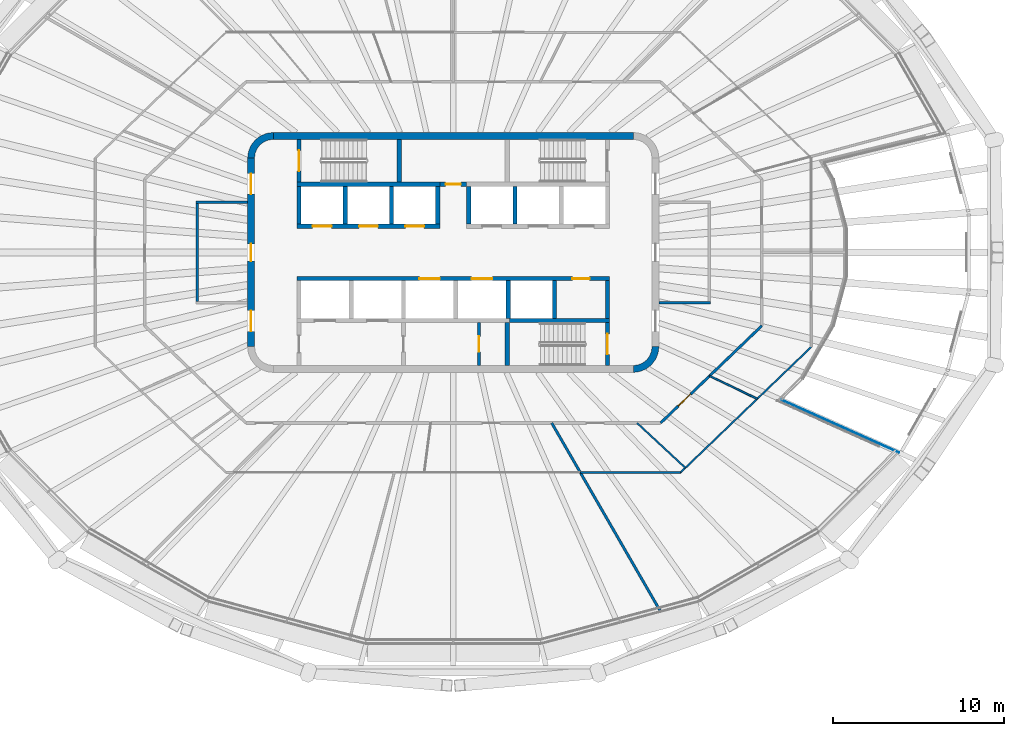
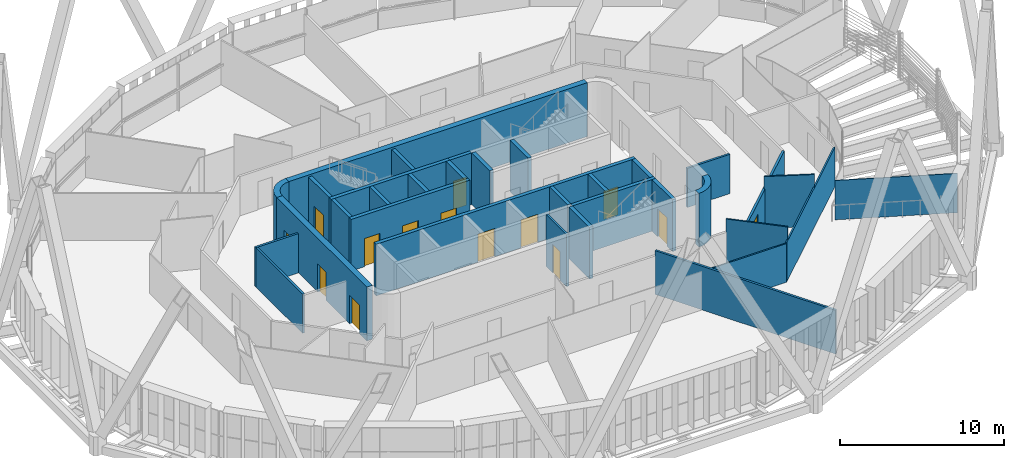
# One storey, part 11 of 20: 33 walls, 14 doors, 14 openings.
"""IFC4 building model written with IfcOpenShell, lengths in metres."""

from ifc_helpers import new_model, si_unit, direction, frame, frame_2d, origin, place, context, subcontext, project, spatial, polyline, rectangle, outline, extrude, material, layer, layer_set, type_object, element, fill, save


model = new_model("IFC4")

# Units and contexts
model_context = context("Model", 3, precision=1e-05, world=origin(), true_north=direction((0.0, 1.0)))
body_context = subcontext(model_context, "Body", "Model", "MODEL_VIEW")
ifc_project = project(units=[si_unit("LENGTHUNIT", "METRE"), si_unit("AREAUNIT", "SQUARE_METRE"), si_unit("VOLUMEUNIT", "CUBIC_METRE"), si_unit("PLANEANGLEUNIT", "RADIAN"), si_unit("MASSUNIT", "GRAM", prefix="KILO")], contexts=[model_context])

# Site, building, storey
site_placement = place(None, origin())
site = spatial("IfcSite", under=ifc_project, at=site_placement, CompositionType="ELEMENT")
building_placement = place(site_placement, origin())
building = spatial("IfcBuilding", under=site, at=building_placement, Name="Sahrelin Media Tower", CompositionType="ELEMENT")
storey_placement = place(building_placement, frame((0.0, 0.0, 267.0)))
storey = spatial("IfcBuildingStorey", under=building, at=storey_placement, Name="L58", CompositionType="ELEMENT", Elevation=267.0)

# Wall
ifc_material_1 = material(Name="Concrete C60/75", Category="concrete")
ifc_layer_1 = layer(ifc_material_1, 0.39990234375)
ifc_layer_set_1 = layer_set([ifc_layer_1], Name="Core wall 400")
wall_type_1 = type_object("IfcWallType", Name="Core wall 400", PredefinedType="SHEAR", material=ifc_layer_set_1)
wall_1_placement = place(storey_placement, frame((-10.5, 6.800048828125, 0.0), z_axis=(0.0, 0.0, 1.0), x_axis=(1.0, 0.0, 0.0)))
element("IfcWall", 1, at=wall_1_placement, inside=storey, type_object=wall_type_1, Name="Core wall N L58", PredefinedType="SHEAR", context=body_context, shape_type="SweptSolid", body=[
    extrude(rectangle(XDim=21.0, YDim=0.39990234375, at=frame_2d((10.5, 0.0))), origin(), (0.0, 0.0, 1.0), 4.0),
])

# Wall, openings, doors
wall_2_placement = place(storey_placement, frame((-11.800048828125, -5.5, 0.0), z_axis=(0.0, 0.0, 1.0), x_axis=(0.0, 1.0, 0.0)))
wall_2 = element("IfcWall", 2, at=wall_2_placement, inside=storey, type_object=wall_type_1, Name="Core wall W L58", PredefinedType="SHEAR", context=body_context, shape_type="SweptSolid", body=[
    extrude(rectangle(XDim=11.0, YDim=0.39990234375, at=frame_2d((5.5, 0.0))), origin(), (0.0, 0.0, 1.0), 4.0),
])
opening_1_placement = place(wall_2_placement, frame((5.0, 0.0, 0.0)))
opening_1 = element("IfcOpeningElement", 3, at=opening_1_placement, cuts=wall_2, Name="Opening L58-D09", PredefinedType="OPENING", context=body_context, shape_type="SweptSolid", body=[
    extrude(rectangle(XDim=1.0, YDim=2.10009765625, at=frame_2d((0.5, 1.050048828125))), frame((0.0, 0.199951171875, 0.0), z_axis=(0.0, -1.0, 0.0), x_axis=(1.0, 0.0, 0.0)), (0.0, 0.0, 1.0), 0.39990234375),
])
opening_2_placement = place(wall_2_placement, frame((0.89990234375, 0.0, 0.0)))
opening_2 = element("IfcOpeningElement", 4, at=opening_2_placement, cuts=wall_2, Name="Opening L58-D11", PredefinedType="OPENING", context=body_context, shape_type="SweptSolid", body=[
    extrude(rectangle(XDim=1.199951171875, YDim=2.10009765625, at=frame_2d((0.60009765625, 1.050048828125))), frame((0.0, 0.199951171875, 0.0), z_axis=(0.0, -1.0, 0.0), x_axis=(1.0, 0.0, 0.0)), (0.0, 0.0, 1.0), 0.39990234375),
])
opening_3_placement = place(wall_2_placement, frame((8.89990234375, 0.0, 0.0)))
opening_3 = element("IfcOpeningElement", 5, at=opening_3_placement, cuts=wall_2, Name="Opening L58-D12", PredefinedType="OPENING", context=body_context, shape_type="SweptSolid", body=[
    extrude(rectangle(XDim=1.199951171875, YDim=2.10009765625, at=frame_2d((0.60009765625, 1.050048828125))), frame((0.0, 0.199951171875, 0.0), z_axis=(0.0, -1.0, 0.0), x_axis=(1.0, 0.0, 0.0)), (0.0, 0.0, 1.0), 0.39990234375),
])
ifc_material_2 = material(Name="Steel fire door leaf", Category="steel")
door_type_1 = type_object("IfcDoorType", Name="Fire door 1000 x 2100 EI 60", OperationType="NOTDEFINED", PredefinedType="DOOR", material=ifc_material_2)
door_1_placement = place(opening_1_placement, origin())
door_1 = element("IfcDoor", 6, at=door_1_placement, inside=storey, type_object=door_type_1, Name="Core room door", OperationType="SINGLE_SWING_RIGHT", OverallHeight=2.10009765625, OverallWidth=1.0, PredefinedType="DOOR", context=body_context, shape_type="SweptSolid", body=[
    extrude(rectangle(XDim=1.0, YDim=2.10009765625, at=frame_2d((0.5, 1.050048828125))), frame((0.0, 0.02490234375, 0.0), z_axis=(0.0, -1.0, 0.0), x_axis=(1.0, 0.0, 0.0)), (0.0, 0.0, 1.0), 0.050048828125),
])
fill(opening_1, door_1)
door_type_2 = type_object("IfcDoorType", Name="Lobby door 1200 x 2100 EI 60", OperationType="NOTDEFINED", PredefinedType="DOOR", material=ifc_material_2)
door_2_placement = place(opening_2_placement, origin())
door_2 = element("IfcDoor", 7, at=door_2_placement, inside=storey, type_object=door_type_2, Name="Lobby door", OperationType="SINGLE_SWING_LEFT", OverallHeight=2.10009765625, OverallWidth=1.199951171875, PredefinedType="DOOR", context=body_context, shape_type="SweptSolid", body=[
    extrude(rectangle(XDim=1.199951171875, YDim=2.10009765625, at=frame_2d((0.60009765625, 1.050048828125))), frame((0.0, 0.02490234375, 0.0), z_axis=(0.0, -1.0, 0.0), x_axis=(1.0, 0.0, 0.0)), (0.0, 0.0, 1.0), 0.050048828125),
])
fill(opening_2, door_2)
door_3_placement = place(opening_3_placement, origin())
door_3 = element("IfcDoor", 8, at=door_3_placement, inside=storey, type_object=door_type_2, Name="Lobby door", OperationType="SINGLE_SWING_LEFT", OverallHeight=2.10009765625, OverallWidth=1.199951171875, PredefinedType="DOOR", context=body_context, shape_type="SweptSolid", body=[
    extrude(rectangle(XDim=1.199951171875, YDim=2.10009765625, at=frame_2d((0.60009765625, 1.050048828125))), frame((0.0, 0.02490234375, 0.0), z_axis=(0.0, -1.0, 0.0), x_axis=(1.0, 0.0, 0.0)), (0.0, 0.0, 1.0), 0.050048828125),
])
fill(opening_3, door_3)

# Walls
placement = place(storey_placement, origin())
element("IfcWall", 9, at=placement, inside=storey, type_object=wall_type_1, Name="Core wall corner NW L58", PredefinedType="SHEAR", context=body_context, shape_type="SweptSolid", body=[
    extrude(outline(polyline([(-12.0, 5.5), (-11.596435546875, 5.5), (-11.55908203125, 5.78369140625), (-11.44970703125, 6.04833984375), (-11.275390625, 6.275390625), (-11.04833984375, 6.44970703125), (-10.78369140625, 6.55908203125), (-10.5, 6.596435546875), (-10.5, 7.0), (-10.88818359375, 6.948974609375), (-11.25, 6.799072265625), (-11.560791015625, 6.560791015625), (-11.799072265625, 6.25), (-11.948974609375, 5.88818359375), (-12.0, 5.5)])), origin(), (0.0, 0.0, 1.0), 4.0),
])
element("IfcWall", 10, at=placement, inside=storey, type_object=wall_type_1, Name="Core wall corner SE L58", PredefinedType="SHEAR", context=body_context, shape_type="SweptSolid", body=[
    extrude(outline(polyline([(12.0, -5.5), (11.596435546875, -5.5), (11.55908203125, -5.78369140625), (11.44970703125, -6.04833984375), (11.275390625, -6.275390625), (11.04833984375, -6.44970703125), (10.78369140625, -6.55908203125), (10.5, -6.596435546875), (10.5, -7.0), (10.88818359375, -6.948974609375), (11.25, -6.799072265625), (11.560791015625, -6.560791015625), (11.799072265625, -6.25), (11.948974609375, -5.88818359375), (12.0, -5.5)])), origin(), (0.0, 0.0, 1.0), 4.0),
])

# Wall, opening, door
ifc_material_3 = material(Name="Fire-rated gypsum board partition")
ifc_layer_2 = layer(ifc_material_3, 0.25)
ifc_layer_set_2 = layer_set([ifc_layer_2], Name="Fire-rated lobby wall 250")
wall_type_2 = type_object("IfcWallType", Name="Fire-rated lobby wall 250", PredefinedType="PARTITIONING", material=ifc_layer_set_2)
wall_5_placement = place(storey_placement, frame((-0.77490234375, 3.97509765625, 0.0), z_axis=(0.0, 0.0, 1.0), x_axis=(1.0, 0.0, 0.0)))
wall_5 = element("IfcWall", 11, at=wall_5_placement, inside=storey, type_object=wall_type_2, Name="Core lobby wall", PredefinedType="PARTITIONING", context=body_context, shape_type="SweptSolid", body=[
    extrude(rectangle(XDim=1.5498046875, YDim=0.25, at=frame_2d((0.77490234375, 0.0))), origin(), (0.0, 0.0, 1.0), 3.85009765625),
])
opening_4_placement = place(wall_5_placement, frame((0.324951171875, 0.0, 0.0)))
opening_4 = element("IfcOpeningElement", 12, at=opening_4_placement, cuts=wall_5, Name="Opening L58-D06", PredefinedType="OPENING", context=body_context, shape_type="SweptSolid", body=[
    extrude(rectangle(XDim=0.89990234375, YDim=2.10009765625, at=frame_2d((0.449951171875, 1.050048828125))), frame((0.0, 0.125, 0.0), z_axis=(0.0, -1.0, 0.0), x_axis=(1.0, 0.0, 0.0)), (0.0, 0.0, 1.0), 0.25),
])
door_type_3 = type_object("IfcDoorType", Name="Riser door 900 x 2100 EI 120", OperationType="NOTDEFINED", PredefinedType="DOOR", material=ifc_material_2)
door_4_placement = place(opening_4_placement, origin())
door_4 = element("IfcDoor", 13, at=door_4_placement, inside=storey, type_object=door_type_3, Name="Core room door", OperationType="SINGLE_SWING_LEFT", OverallHeight=2.10009765625, OverallWidth=0.89990234375, PredefinedType="DOOR", context=body_context, shape_type="SweptSolid", body=[
    extrude(rectangle(XDim=0.89990234375, YDim=2.10009765625, at=frame_2d((0.449951171875, 1.050048828125))), frame((0.0, 0.02490234375, 0.0), z_axis=(0.0, -1.0, 0.0), x_axis=(1.0, 0.0, 0.0)), (0.0, 0.0, 1.0), 0.050048828125),
])
fill(opening_4, door_4)

ifc_layer_3 = layer(ifc_material_3, 0.14990234375)
ifc_layer_set_3 = layer_set([ifc_layer_3], Name="Fire-rated partition 150")
wall_type_3 = type_object("IfcWallType", Name="Fire-rated partition 150", PredefinedType="PARTITIONING", material=ifc_layer_set_3)
wall_6_placement = place(storey_placement, frame((1.5, -6.60009765625, 0.0), z_axis=(0.0, 0.0, 1.0), x_axis=(0.0, 1.0, 0.0)))
wall_6 = element("IfcWall", 14, at=wall_6_placement, inside=storey, type_object=wall_type_3, Name="Core room fire partition", PredefinedType="PARTITIONING", context=body_context, shape_type="SweptSolid", body=[
    extrude(rectangle(XDim=2.5, YDim=0.14990234375, at=frame_2d((1.25, 0.0))), origin(), (0.0, 0.0, 1.0), 3.85009765625),
])
opening_5_placement = place(wall_6_placement, frame((0.800048828125, 0.0, 0.0)))
opening_5 = element("IfcOpeningElement", 15, at=opening_5_placement, cuts=wall_6, Name="Opening L58-D07", PredefinedType="OPENING", context=body_context, shape_type="SweptSolid", body=[
    extrude(rectangle(XDim=0.89990234375, YDim=2.10009765625, at=frame_2d((0.449951171875, 1.050048828125))), frame((0.0, 0.074951171875, 0.0), z_axis=(0.0, -1.0, 0.0), x_axis=(1.0, 0.0, 0.0)), (0.0, 0.0, 1.0), 0.14990234375),
])
door_type_4 = type_object("IfcDoorType", Name="Fire door 900 x 2100 EI 60", OperationType="NOTDEFINED", PredefinedType="DOOR", material=ifc_material_2)
door_5_placement = place(opening_5_placement, origin())
door_5 = element("IfcDoor", 16, at=door_5_placement, inside=storey, type_object=door_type_4, Name="Core room door", OperationType="SINGLE_SWING_RIGHT", OverallHeight=2.10009765625, OverallWidth=0.89990234375, PredefinedType="DOOR", context=body_context, shape_type="SweptSolid", body=[
    extrude(rectangle(XDim=0.89990234375, YDim=2.10009765625, at=frame_2d((0.449951171875, 1.050048828125))), frame((0.0, 0.02490234375, 0.0), z_axis=(0.0, -1.0, 0.0), x_axis=(1.0, 0.0, 0.0)), (0.0, 0.0, 1.0), 0.050048828125),
])
fill(opening_5, door_5)

# Walls
wall_7_placement = place(storey_placement, frame((-14.925048828125, -2.85009765625, 0.0), z_axis=(0.0, 0.0, 1.0), x_axis=(0.0, 1.0, 0.0)))
element("IfcWall", 17, at=wall_7_placement, inside=storey, type_object=wall_type_3, Name="Core room fire partition", PredefinedType="PARTITIONING", context=body_context, shape_type="SweptSolid", body=[
    extrude(rectangle(XDim=5.7001953125, YDim=0.14990234375, at=frame_2d((2.85009765625, 0.0))), origin(), (0.0, 0.0, 1.0), 2.918212890625),
])
for number, where, z_axis, x_axis, name in (
    (18, (-15.0, 2.925048828125, 0.0), (0.0, 0.0, 1.0), (1.0, 0.0, 0.0), "Core room fire partition"),
    (19, (12.0, -2.925048828125, 0.0), (0.0, 0.0, 1.0), (1.0, 0.0, 0.0), "Core room fire partition"),
):
    element("IfcWall", number, at=place(storey_placement, frame(where, z_axis=z_axis, x_axis=x_axis)), inside=storey, type_object=wall_type_3, Name=name, PredefinedType="PARTITIONING", context=body_context, shape_type="SweptSolid", body=[
        extrude(rectangle(XDim=3.0, YDim=0.14990234375, at=frame_2d((1.5, 0.0))), origin(), (0.0, 0.0, 1.0), 2.918212890625),
    ])
wall_8_placement = place(storey_placement, frame((5.743896484375, -9.948974609375, 0.0), z_axis=(0.0, 0.0, 1.0), x_axis=(0.499937454569, -0.866061511395, 0.0)))
element("IfcWall", 20, at=wall_8_placement, inside=storey, type_object=wall_type_3, Name="Wall", PredefinedType="PARTITIONING", context=body_context, shape_type="SweptSolid", body=[
    extrude(rectangle(XDim=12.713134765625, YDim=0.14990234375, at=frame_2d((6.3564453125, 0.0))), origin(), (0.0, 0.0, 1.0), 3.251708984375),
])

# Wall, opening, door
wall_9_placement = place(storey_placement, frame((12.094970703125, -9.948974609375, 0.0), z_axis=(0.0, 0.0, 1.0), x_axis=(0.721260976692, 0.69266341285, 0.0)))
wall_9 = element("IfcWall", 21, at=wall_9_placement, inside=storey, type_object=wall_type_3, Name="Wall", PredefinedType="PARTITIONING", context=body_context, shape_type="SweptSolid", body=[
    extrude(rectangle(XDim=8.18701171875, YDim=0.14990234375, at=frame_2d((4.093505859375, 0.0))), origin(), (0.0, 0.0, 1.0), 2.918212890625),
])
opening_6_placement = place(wall_9_placement, frame((1.4296875, 0.0, 0.0)))
opening_6 = element("IfcOpeningElement", 22, at=opening_6_placement, cuts=wall_9, Name="Opening L58-D31", PredefinedType="OPENING", context=body_context, shape_type="SweptSolid", body=[
    extrude(rectangle(XDim=1.0, YDim=2.10009765625, at=frame_2d((0.5, 1.050048828125))), frame((0.0, 0.074951171875, 0.0), z_axis=(0.0, -1.0, 0.0), x_axis=(1.0, 0.0, 0.0)), (0.0, 0.0, 1.0), 0.14990234375),
])
door_6_placement = place(opening_6_placement, origin())
door_6 = element("IfcDoor", 23, at=door_6_placement, inside=storey, type_object=door_type_1, Name="Fire door", OperationType="SINGLE_SWING_RIGHT", OverallHeight=2.10009765625, OverallWidth=1.0, PredefinedType="DOOR", context=body_context, shape_type="SweptSolid", body=[
    extrude(rectangle(XDim=1.0, YDim=2.10009765625, at=frame_2d((0.5, 1.050048828125))), frame((0.0, 0.02490234375, 0.0), z_axis=(0.0, -1.0, 0.0), x_axis=(1.0, 0.0, 0.0)), (0.0, 0.0, 1.0), 0.050048828125),
])
fill(opening_6, door_6)

# Wall
ifc_material_4 = material(Name="Clear glass", Category="glass")
ifc_layer_4 = layer(ifc_material_4, 0.050048828125)
ifc_layer_set_4 = layer_set([ifc_layer_4], Name="Glazed partition 50")
wall_type_4 = type_object("IfcWallType", Name="Glazed partition 50", PredefinedType="PARTITIONING", material=ifc_layer_set_4)
wall_10_placement = place(storey_placement, frame((19.1640625, -8.60791015625, 0.0), z_axis=(0.0, 0.0, 1.0), x_axis=(0.912165340302, -0.409822390741, 0.0)))
element("IfcWall", 24, at=wall_10_placement, inside=storey, type_object=wall_type_4, Name="Wall", PredefinedType="PARTITIONING", context=body_context, shape_type="SweptSolid", body=[
    extrude(rectangle(XDim=7.48876953125, YDim=0.050048828125, at=frame_2d((3.744384765625, 0.0))), origin(), (0.0, 0.0, 1.0), 2.927001953125),
])

# Wall, openings, doors
ifc_layer_5 = layer(ifc_material_1, 0.25)
ifc_layer_set_5 = layer_set([ifc_layer_5], Name="Lift shaft wall 250")
wall_type_5 = type_object("IfcWallType", Name="Lift shaft wall 250", PredefinedType="SOLIDWALL", material=ifc_layer_set_5)
wall_11_placement = place(storey_placement, frame((-9.125, 1.52490234375, 0.0), z_axis=(0.0, 0.0, 1.0), x_axis=(1.0, 0.0, 0.0)))
wall_11 = element("IfcWall", 25, at=wall_11_placement, inside=storey, type_object=wall_type_5, Name="Lift shaft wall", PredefinedType="SOLIDWALL", context=body_context, shape_type="SweptSolid", body=[
    extrude(rectangle(XDim=8.35009765625, YDim=0.25, at=frame_2d((4.175048828125, 0.0))), origin(), (0.0, 0.0, 1.0), 3.85009765625),
])
opening_7_placement = place(wall_11_placement, frame((0.925048828125, 0.0, 0.0)))
opening_7 = element("IfcOpeningElement", 26, at=opening_7_placement, cuts=wall_11, Name="Opening L58-LD-HR1", PredefinedType="OPENING", context=body_context, shape_type="SweptSolid", body=[
    extrude(rectangle(XDim=1.10009765625, YDim=2.10009765625, at=frame_2d((0.550048828125, 1.050048828125))), frame((0.0, 0.125, 0.0), z_axis=(0.0, -1.0, 0.0), x_axis=(1.0, 0.0, 0.0)), (0.0, 0.0, 1.0), 0.25),
])
opening_8_placement = place(wall_11_placement, frame((3.625, 0.0, 0.0)))
opening_8 = element("IfcOpeningElement", 27, at=opening_8_placement, cuts=wall_11, Name="Opening L58-LD-HR2", PredefinedType="OPENING", context=body_context, shape_type="SweptSolid", body=[
    extrude(rectangle(XDim=1.10009765625, YDim=2.10009765625, at=frame_2d((0.550048828125, 1.050048828125))), frame((0.0, 0.125, 0.0), z_axis=(0.0, -1.0, 0.0), x_axis=(1.0, 0.0, 0.0)), (0.0, 0.0, 1.0), 0.25),
])
opening_9_placement = place(wall_11_placement, frame((6.324951171875, 0.0, 0.0)))
opening_9 = element("IfcOpeningElement", 28, at=opening_9_placement, cuts=wall_11, Name="Opening L58-LD-HR3", PredefinedType="OPENING", context=body_context, shape_type="SweptSolid", body=[
    extrude(rectangle(XDim=1.10009765625, YDim=2.10009765625, at=frame_2d((0.550048828125, 1.050048828125))), frame((0.0, 0.125, 0.0), z_axis=(0.0, -1.0, 0.0), x_axis=(1.0, 0.0, 0.0)), (0.0, 0.0, 1.0), 0.25),
])
ifc_material_5 = material(Name="Stainless steel", Category="steel")
door_type_5 = type_object("IfcDoorType", Name="Lift landing door 1100 x 2100 EI 120", OperationType="DOUBLE_DOOR_SLIDING", PredefinedType="DOOR", material=ifc_material_5)
door_7_placement = place(opening_7_placement, origin())
door_7 = element("IfcDoor", 29, at=door_7_placement, inside=storey, type_object=door_type_5, Name="Lift landing door HR1", OperationType="DOUBLE_DOOR_SLIDING", OverallHeight=2.10009765625, OverallWidth=1.10009765625, PredefinedType="DOOR", context=body_context, shape_type="SweptSolid", body=[
    extrude(rectangle(XDim=1.10009765625, YDim=2.10009765625, at=frame_2d((0.550048828125, 1.050048828125))), frame((0.0, 0.02490234375, 0.0), z_axis=(0.0, -1.0, 0.0), x_axis=(1.0, 0.0, 0.0)), (0.0, 0.0, 1.0), 0.050048828125),
])
fill(opening_7, door_7)
door_8_placement = place(opening_8_placement, origin())
door_8 = element("IfcDoor", 30, at=door_8_placement, inside=storey, type_object=door_type_5, Name="Lift landing door HR2", OperationType="DOUBLE_DOOR_SLIDING", OverallHeight=2.10009765625, OverallWidth=1.10009765625, PredefinedType="DOOR", context=body_context, shape_type="SweptSolid", body=[
    extrude(rectangle(XDim=1.10009765625, YDim=2.10009765625, at=frame_2d((0.550048828125, 1.050048828125))), frame((0.0, 0.02490234375, 0.0), z_axis=(0.0, -1.0, 0.0), x_axis=(1.0, 0.0, 0.0)), (0.0, 0.0, 1.0), 0.050048828125),
])
fill(opening_8, door_8)
door_9_placement = place(opening_9_placement, origin())
door_9 = element("IfcDoor", 31, at=door_9_placement, inside=storey, type_object=door_type_5, Name="Lift landing door HR3", OperationType="DOUBLE_DOOR_SLIDING", OverallHeight=2.10009765625, OverallWidth=1.10009765625, PredefinedType="DOOR", context=body_context, shape_type="SweptSolid", body=[
    extrude(rectangle(XDim=1.10009765625, YDim=2.10009765625, at=frame_2d((0.550048828125, 1.050048828125))), frame((0.0, 0.02490234375, 0.0), z_axis=(0.0, -1.0, 0.0), x_axis=(1.0, 0.0, 0.0)), (0.0, 0.0, 1.0), 0.050048828125),
])
fill(opening_9, door_9)

# Walls
wall_12_placement = place(storey_placement, frame((-9.125, 3.97509765625, 0.0), z_axis=(0.0, 0.0, 1.0), x_axis=(1.0, 0.0, 0.0)))
element("IfcWall", 32, at=wall_12_placement, inside=storey, type_object=wall_type_5, Name="Lift shaft wall", PredefinedType="SOLIDWALL", context=body_context, shape_type="SweptSolid", body=[
    extrude(rectangle(XDim=8.35009765625, YDim=0.25, at=frame_2d((4.175048828125, 0.0))), origin(), (0.0, 0.0, 1.0), 3.85009765625),
])
for number, where, z_axis, x_axis, name in (
    (33, (-9.0, 1.64990234375, 0.0), (0.0, 0.0, 1.0), (0.0, 1.0, 0.0), "Lift shaft wall"),
    (34, (-6.300048828125, 1.64990234375, 0.0), (0.0, 0.0, 1.0), (0.0, 1.0, 0.0), "Lift shaft wall"),
    (35, (-3.60009765625, 1.64990234375, 0.0), (0.0, 0.0, 1.0), (0.0, 1.0, 0.0), "Lift shaft wall"),
    (36, (3.60009765625, 1.64990234375, 0.0), (0.0, 0.0, 1.0), (0.0, 1.0, 0.0), "Lift shaft wall"),
    (37, (-0.89990234375, 1.64990234375, 0.0), (0.0, 0.0, 1.0), (0.0, 1.0, 0.0), "Lift shaft wall"),
    (38, (0.89990234375, 1.64990234375, 0.0), (0.0, 0.0, 1.0), (0.0, 1.0, 0.0), "Lift shaft wall"),
):
    element("IfcWall", number, at=place(storey_placement, frame(where, z_axis=z_axis, x_axis=x_axis)), inside=storey, type_object=wall_type_5, Name=name, PredefinedType="SOLIDWALL", context=body_context, shape_type="SweptSolid", body=[
        extrude(rectangle(XDim=2.2001953125, YDim=0.25, at=frame_2d((1.10009765625, 0.0))), origin(), (0.0, 0.0, 1.0), 3.85009765625),
    ])

# Wall, openings, doors
wall_13_placement = place(storey_placement, frame((-9.125, -1.52490234375, 0.0), z_axis=(0.0, 0.0, 1.0), x_axis=(1.0, 0.0, 0.0)))
wall_13 = element("IfcWall", 39, at=wall_13_placement, inside=storey, type_object=wall_type_5, Name="Lift shaft wall", PredefinedType="SOLIDWALL", context=body_context, shape_type="SweptSolid", body=[
    extrude(rectangle(XDim=18.25, YDim=0.25, at=frame_2d((9.125, 0.0))), origin(), (0.0, 0.0, 1.0), 3.85009765625),
])
opening_10_placement = place(wall_13_placement, frame((7.14990234375, 0.0, 0.0)))
opening_10 = element("IfcOpeningElement", 40, at=opening_10_placement, cuts=wall_13, Name="Opening L58-LD-SV1", PredefinedType="OPENING", context=body_context, shape_type="SweptSolid", body=[
    extrude(rectangle(XDim=1.199951171875, YDim=2.10009765625, at=frame_2d((0.60009765625, 1.050048828125))), frame((0.0, 0.125, 0.0), z_axis=(0.0, -1.0, 0.0), x_axis=(1.0, 0.0, 0.0)), (0.0, 0.0, 1.0), 0.25),
])
opening_11_placement = place(wall_13_placement, frame((10.199951171875, 0.0, 0.0)))
opening_11 = element("IfcOpeningElement", 41, at=opening_11_placement, cuts=wall_13, Name="Opening L58-LD-SV2", PredefinedType="OPENING", context=body_context, shape_type="SweptSolid", body=[
    extrude(rectangle(XDim=1.199951171875, YDim=2.10009765625, at=frame_2d((0.60009765625, 1.050048828125))), frame((0.0, 0.125, 0.0), z_axis=(0.0, -1.0, 0.0), x_axis=(1.0, 0.0, 0.0)), (0.0, 0.0, 1.0), 0.25),
])
opening_12_placement = place(wall_13_placement, frame((16.074951171875, 0.0, 0.0)))
opening_12 = element("IfcOpeningElement", 42, at=opening_12_placement, cuts=wall_13, Name="Opening L58-D08", PredefinedType="OPENING", context=body_context, shape_type="SweptSolid", body=[
    extrude(rectangle(XDim=1.0, YDim=2.10009765625, at=frame_2d((0.5, 1.050048828125))), frame((0.0, 0.125, 0.0), z_axis=(0.0, -1.0, 0.0), x_axis=(1.0, 0.0, 0.0)), (0.0, 0.0, 1.0), 0.25),
])
door_10_placement = place(opening_12_placement, origin())
door_10 = element("IfcDoor", 43, at=door_10_placement, inside=storey, type_object=door_type_1, Name="Core room door", OperationType="SINGLE_SWING_RIGHT", OverallHeight=2.10009765625, OverallWidth=1.0, PredefinedType="DOOR", context=body_context, shape_type="SweptSolid", body=[
    extrude(rectangle(XDim=1.0, YDim=2.10009765625, at=frame_2d((0.5, 1.050048828125))), frame((0.0, 0.02490234375, 0.0), z_axis=(0.0, -1.0, 0.0), x_axis=(1.0, 0.0, 0.0)), (0.0, 0.0, 1.0), 0.050048828125),
])
fill(opening_12, door_10)
door_type_6 = type_object("IfcDoorType", Name="Lift landing door 1200 x 2100 EI 120", OperationType="DOUBLE_DOOR_SLIDING", PredefinedType="DOOR", material=ifc_material_5)
door_11_placement = place(opening_10_placement, origin())
door_11 = element("IfcDoor", 44, at=door_11_placement, inside=storey, type_object=door_type_6, Name="Lift landing door SV1", OperationType="DOUBLE_DOOR_SLIDING", OverallHeight=2.10009765625, OverallWidth=1.199951171875, PredefinedType="DOOR", context=body_context, shape_type="SweptSolid", body=[
    extrude(rectangle(XDim=1.199951171875, YDim=2.10009765625, at=frame_2d((0.60009765625, 1.050048828125))), frame((0.0, 0.02490234375, 0.0), z_axis=(0.0, -1.0, 0.0), x_axis=(1.0, 0.0, 0.0)), (0.0, 0.0, 1.0), 0.050048828125),
])
fill(opening_10, door_11)
door_12_placement = place(opening_11_placement, origin())
door_12 = element("IfcDoor", 45, at=door_12_placement, inside=storey, type_object=door_type_6, Name="Lift landing door SV2", OperationType="DOUBLE_DOOR_SLIDING", OverallHeight=2.10009765625, OverallWidth=1.199951171875, PredefinedType="DOOR", context=body_context, shape_type="SweptSolid", body=[
    extrude(rectangle(XDim=1.199951171875, YDim=2.10009765625, at=frame_2d((0.60009765625, 1.050048828125))), frame((0.0, 0.02490234375, 0.0), z_axis=(0.0, -1.0, 0.0), x_axis=(1.0, 0.0, 0.0)), (0.0, 0.0, 1.0), 0.050048828125),
])
fill(opening_11, door_12)

# Walls
wall_14_placement = place(storey_placement, frame((3.27490234375, -3.97509765625, 0.0), z_axis=(0.0, 0.0, 1.0), x_axis=(1.0, 0.0, 0.0)))
element("IfcWall", 46, at=wall_14_placement, inside=storey, type_object=wall_type_5, Name="Lift shaft wall", PredefinedType="SOLIDWALL", context=body_context, shape_type="SweptSolid", body=[
    extrude(rectangle(XDim=5.85009765625, YDim=0.25, at=frame_2d((2.925048828125, 0.0))), origin(), (0.0, 0.0, 1.0), 3.85009765625),
])
for number, where, z_axis, x_axis, name in (
    (47, (3.199951171875, -3.85009765625, 0.0), (0.0, 0.0, 1.0), (0.0, 1.0, 0.0), "Lift shaft wall"),
    (48, (5.89990234375, -3.85009765625, 0.0), (0.0, 0.0, 1.0), (0.0, 1.0, 0.0), "Lift shaft wall"),
    (49, (9.0, -3.85009765625, 0.0), (0.0, 0.0, 1.0), (0.0, 1.0, 0.0), "Lift shaft wall"),
):
    element("IfcWall", number, at=place(storey_placement, frame(where, z_axis=z_axis, x_axis=x_axis)), inside=storey, type_object=wall_type_5, Name=name, PredefinedType="SOLIDWALL", context=body_context, shape_type="SweptSolid", body=[
        extrude(rectangle(XDim=2.2001953125, YDim=0.25, at=frame_2d((1.10009765625, 0.0))), origin(), (0.0, 0.0, 1.0), 3.85009765625),
    ])
ifc_material_6 = material(Name="Gypsum board partition")
ifc_layer_6 = layer(ifc_material_6, 0.10009765625)
ifc_layer_set_6 = layer_set([ifc_layer_6], Name="Partition 100")
wall_type_6 = type_object("IfcWallType", Name="Partition 100", PredefinedType="PARTITIONING", material=ifc_layer_set_6)
wall_15_placement = place(storey_placement, frame((10.721923828125, -9.948974609375, 0.0), z_axis=(0.0, 0.0, 1.0), x_axis=(0.733012690733, -0.680214962511, 0.0)))
element("IfcWall", 50, at=wall_15_placement, inside=storey, type_object=wall_type_6, Name="Wall", PredefinedType="PARTITIONING", context=body_context, shape_type="SweptSolid", body=[
    extrude(rectangle(XDim=3.84716796875, YDim=0.10009765625, at=frame_2d((1.923583984375, 0.0))), origin(), (0.0, 0.0, 1.0), 3.85009765625),
])
wall_16_placement = place(storey_placement, frame((14.955078125, -7.201904296875, 0.0), z_axis=(0.0, 0.0, 1.0), x_axis=(0.900977603602, -0.433865598783, 0.0)))
element("IfcWall", 51, at=wall_16_placement, inside=storey, type_object=wall_type_6, Name="Wall", PredefinedType="PARTITIONING", context=body_context, shape_type="SweptSolid", body=[
    extrude(rectangle(XDim=3.084228515625, YDim=0.10009765625, at=frame_2d((1.5419921875, 0.0))), origin(), (0.0, 0.0, 1.0), 3.85009765625),
])
wall_17_placement = place(storey_placement, frame((7.412109375, -12.839111328125, 0.0), z_axis=(0.0, 0.0, 1.0), x_axis=(1.0, 0.0, 0.0)))
element("IfcWall", 52, at=wall_17_placement, inside=storey, type_object=wall_type_6, Name="Wall", PredefinedType="PARTITIONING", context=body_context, shape_type="SweptSolid", body=[
    extrude(rectangle(XDim=5.845947265625, YDim=0.10009765625, at=frame_2d((2.9228515625, 0.0))), origin(), (0.0, 0.0, 1.0), 2.876953125),
])
wall_18_placement = place(storey_placement, frame((13.258056640625, -12.839111328125, 0.0), z_axis=(0.0, 0.0, 1.0), x_axis=(0.721209796007, 0.692716702659, 0.0)))
element("IfcWall", 53, at=wall_18_placement, inside=storey, type_object=wall_type_6, Name="Wall", PredefinedType="PARTITIONING", context=body_context, shape_type="SweptSolid", body=[
    extrude(rectangle(XDim=10.58203125, YDim=0.10009765625, at=frame_2d((5.291015625, 0.0))), origin(), (0.0, 0.0, 1.0), 2.927001953125),
])

# Wall, opening, door
ifc_layer_7 = layer(ifc_material_1, 0.25)
ifc_layer_set_7 = layer_set([ifc_layer_7], Name="Stair enclosure wall 250")
wall_type_7 = type_object("IfcWallType", Name="Stair enclosure wall 250", PredefinedType="SOLIDWALL", material=ifc_layer_set_7)
wall_19_placement = place(storey_placement, frame((-9.0, 4.10009765625, 0.0), z_axis=(0.0, 0.0, 1.0), x_axis=(0.0, 1.0, 0.0)))
wall_19 = element("IfcWall", 54, at=wall_19_placement, inside=storey, type_object=wall_type_7, Name="Stair enclosure wall", PredefinedType="SOLIDWALL", context=body_context, shape_type="SweptSolid", body=[
    extrude(rectangle(XDim=2.5, YDim=0.25, at=frame_2d((1.25, 0.0))), origin(), (0.0, 0.0, 1.0), 3.85009765625),
])
opening_13_placement = place(wall_19_placement, frame((0.64990234375, 0.0, 0.0)))
opening_13 = element("IfcOpeningElement", 55, at=opening_13_placement, cuts=wall_19, Name="Opening L58-D01", PredefinedType="OPENING", context=body_context, shape_type="SweptSolid", body=[
    extrude(rectangle(XDim=1.199951171875, YDim=2.10009765625, at=frame_2d((0.60009765625, 1.050048828125))), frame((0.0, 0.125, 0.0), z_axis=(0.0, -1.0, 0.0), x_axis=(1.0, 0.0, 0.0)), (0.0, 0.0, 1.0), 0.25),
])
door_type_7 = type_object("IfcDoorType", Name="Stair door 1200 x 2100 EI 120", OperationType="NOTDEFINED", PredefinedType="DOOR", material=ifc_material_2)
door_13_placement = place(opening_13_placement, origin())
door_13 = element("IfcDoor", 56, at=door_13_placement, inside=storey, type_object=door_type_7, Name="Stair door ST1", OperationType="SINGLE_SWING_RIGHT", OverallHeight=2.10009765625, OverallWidth=1.199951171875, PredefinedType="DOOR", context=body_context, shape_type="SweptSolid", body=[
    extrude(rectangle(XDim=1.199951171875, YDim=2.10009765625, at=frame_2d((0.60009765625, 1.050048828125))), frame((0.0, 0.02490234375, 0.0), z_axis=(0.0, -1.0, 0.0), x_axis=(1.0, 0.0, 0.0)), (0.0, 0.0, 1.0), 0.050048828125),
])
fill(opening_13, door_13)

wall_20_placement = place(storey_placement, frame((9.0, -6.60009765625, 0.0), z_axis=(0.0, 0.0, 1.0), x_axis=(0.0, 1.0, 0.0)))
wall_20 = element("IfcWall", 57, at=wall_20_placement, inside=storey, type_object=wall_type_7, Name="Stair enclosure wall", PredefinedType="SOLIDWALL", context=body_context, shape_type="SweptSolid", body=[
    extrude(rectangle(XDim=2.5, YDim=0.25, at=frame_2d((1.25, 0.0))), origin(), (0.0, 0.0, 1.0), 3.85009765625),
])
opening_14_placement = place(wall_20_placement, frame((0.64990234375, 0.0, 0.0)))
opening_14 = element("IfcOpeningElement", 58, at=opening_14_placement, cuts=wall_20, Name="Opening L58-D03", PredefinedType="OPENING", context=body_context, shape_type="SweptSolid", body=[
    extrude(rectangle(XDim=1.199951171875, YDim=2.10009765625, at=frame_2d((0.60009765625, 1.050048828125))), frame((0.0, 0.125, 0.0), z_axis=(0.0, -1.0, 0.0), x_axis=(1.0, 0.0, 0.0)), (0.0, 0.0, 1.0), 0.25),
])
door_14_placement = place(opening_14_placement, origin())
door_14 = element("IfcDoor", 59, at=door_14_placement, inside=storey, type_object=door_type_7, Name="Stair door ST2", OperationType="SINGLE_SWING_LEFT", OverallHeight=2.10009765625, OverallWidth=1.199951171875, PredefinedType="DOOR", context=body_context, shape_type="SweptSolid", body=[
    extrude(rectangle(XDim=1.199951171875, YDim=2.10009765625, at=frame_2d((0.60009765625, 1.050048828125))), frame((0.0, 0.02490234375, 0.0), z_axis=(0.0, -1.0, 0.0), x_axis=(1.0, 0.0, 0.0)), (0.0, 0.0, 1.0), 0.050048828125),
])
fill(opening_14, door_14)

# Walls
for number, where, z_axis, x_axis, name in (
    (60, (-3.14990234375, 4.10009765625, 0.0), (0.0, 0.0, 1.0), (0.0, 1.0, 0.0), "Stair enclosure wall"),
    (61, (3.14990234375, -6.60009765625, 0.0), (0.0, 0.0, 1.0), (0.0, 1.0, 0.0), "Stair enclosure wall"),
):
    element("IfcWall", number, at=place(storey_placement, frame(where, z_axis=z_axis, x_axis=x_axis)), inside=storey, type_object=wall_type_7, Name=name, PredefinedType="SOLIDWALL", context=body_context, shape_type="SweptSolid", body=[
        extrude(rectangle(XDim=2.5, YDim=0.25, at=frame_2d((1.25, 0.0))), origin(), (0.0, 0.0, 1.0), 3.85009765625),
    ])

save(model, "model.ifc")
